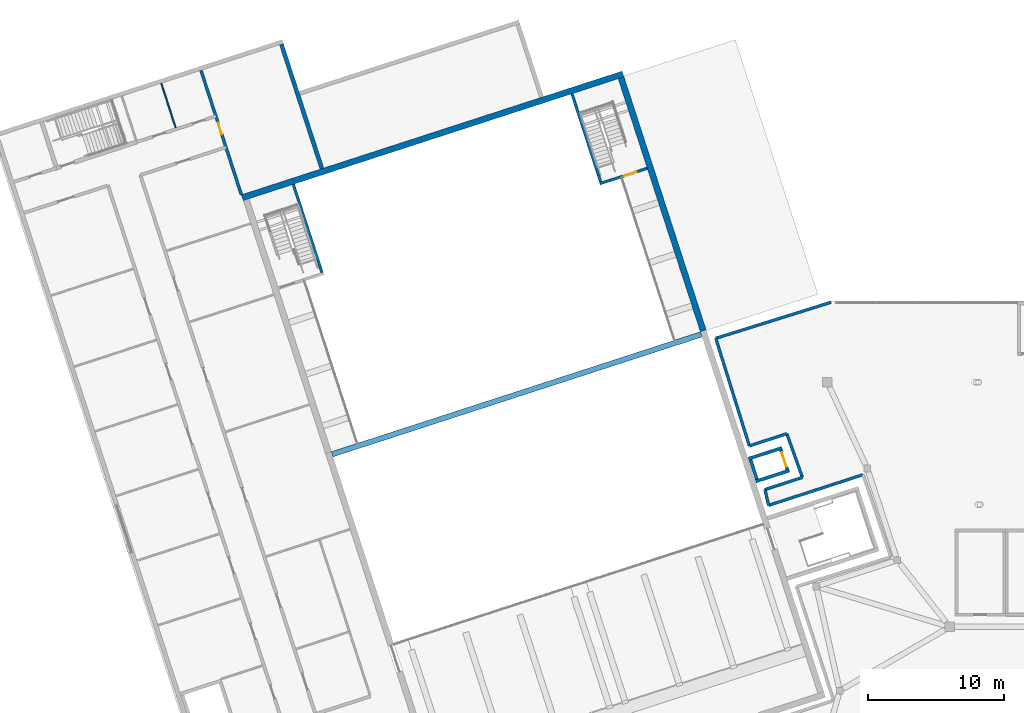
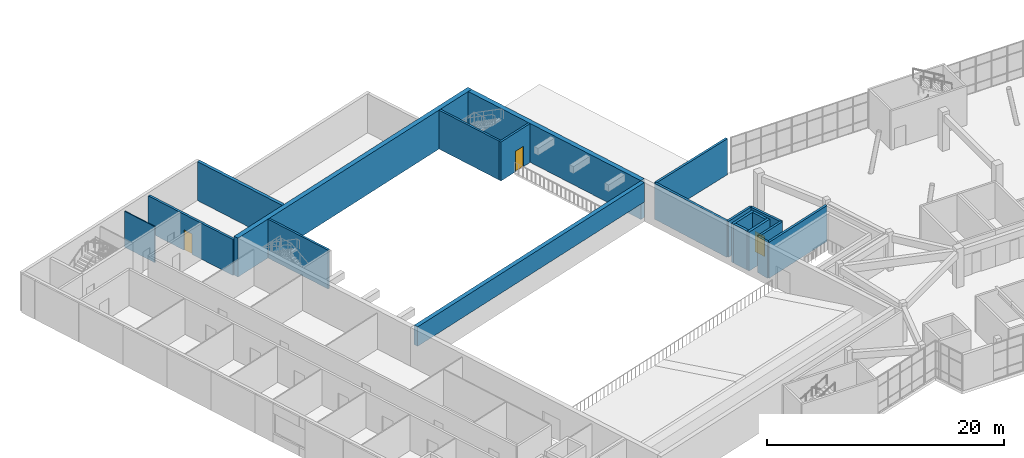
# One storey, part 55 of 65: 20 walls, 3 doors, 3 openings.
"""IFC4 building model written with IfcOpenShell, lengths in metres."""

from ifc_helpers import new_model, si_unit, direction, frame, frame_2d, origin, place, context, subcontext, project, spatial, rectangle, extrude, material, layer, layer_set, type_object, element, fill, save


model = new_model("IFC4")

# Units and contexts
model_context = context("Model", 3, precision=1e-05, world=origin(), true_north=direction((0.0, 1.0)))
body_context = subcontext(model_context, "Body", "Model", "MODEL_VIEW")
ifc_project = project(units=[si_unit("LENGTHUNIT", "METRE"), si_unit("AREAUNIT", "SQUARE_METRE"), si_unit("VOLUMEUNIT", "CUBIC_METRE"), si_unit("PLANEANGLEUNIT", "RADIAN"), si_unit("MASSUNIT", "GRAM", prefix="KILO")], contexts=[model_context])

# Site, building, storey
site_placement = place(None, origin())
site = spatial("IfcSite", under=ifc_project, at=site_placement, CompositionType="ELEMENT")
building_placement = place(site_placement, origin())
building = spatial("IfcBuilding", under=site, at=building_placement, Name="Tuart Plaza Theatre", CompositionType="ELEMENT")
storey_placement = place(building_placement, frame((0.0, 0.0, 9.5)))
storey = spatial("IfcBuildingStorey", under=building, at=storey_placement, Name="L02", CompositionType="ELEMENT", Elevation=9.5)

# Walls
ifc_material_1 = material(Name="Plasterboard on steel stud", Category="steel")
ifc_layer_1 = layer(ifc_material_1, 0.10009765625)
ifc_layer_set_1 = layer_set([ifc_layer_1], Name="PARTITION STD100")
wall_type_1 = type_object("IfcWallType", Name="PARTITION STD100", PredefinedType="PARTITIONING", material=ifc_layer_set_1)
wall_1_placement = place(storey_placement, frame((30.0478515625, 92.727294921875, 0.0), z_axis=(0.0, 0.0, 1.0), x_axis=(-0.309021877853, 0.951054929543, 0.0)))
element("IfcWall", 1, at=wall_1_placement, inside=storey, type_object=wall_type_1, Name="P268", PredefinedType="PARTITIONING", context=body_context, shape_type="SweptSolid", body=[
    extrude(rectangle(XDim=3.43994140625, YDim=0.10009765625, at=frame_2d((1.719970703125, 0.0))), origin(), (0.0, 0.0, 1.0), 3.699951171875),
])
ifc_material_2 = material(Name="Concrete N40 (40 MPa)", Category="concrete")
ifc_layer_2 = layer(ifc_material_2, 0.25)
ifc_layer_set_2 = layer_set([ifc_layer_2], Name="SHEAR WALL RC250 FRL 120/120/120")
wall_type_2 = type_object("IfcWallType", Name="SHEAR WALL RC250 FRL 120/120/120", PredefinedType="SHEAR", material=ifc_layer_set_2)
wall_2_placement = place(storey_placement, frame((72.727294921875, 66.70751953125, 0.0), z_axis=(0.0, 0.0, 1.0), x_axis=(0.951087187149, 0.308922583248, 0.0)))
element("IfcWall", 2, at=wall_2_placement, inside=storey, type_object=wall_type_2, Name="W236", PredefinedType="SHEAR", context=body_context, shape_type="SweptSolid", body=[
    extrude(rectangle(XDim=2.60009765625, YDim=0.25, at=frame_2d((1.300048828125, 0.0))), origin(), (0.0, 0.0, 1.0), 4.0),
])

# Wall, opening, door
wall_3_placement = place(storey_placement, frame((75.04248046875, 67.591064453125, 0.0), z_axis=(0.0, 0.0, 1.0), x_axis=(-0.308942527062, 0.951080708969, 0.0)))
wall_3 = element("IfcWall", 3, at=wall_3_placement, inside=storey, type_object=wall_type_2, Name="W237", PredefinedType="SHEAR", context=body_context, shape_type="SweptSolid", body=[
    extrude(rectangle(XDim=1.5, YDim=0.25, at=frame_2d((0.75, 0.0))), origin(), (0.0, 0.0, 1.0), 4.0),
])
opening_1_placement = place(wall_3_placement, frame((0.199951171875, 0.0, 0.0)))
opening_1 = element("IfcOpeningElement", 4, at=opening_1_placement, cuts=wall_3, Name="Opening L02-003", PredefinedType="OPENING", context=body_context, shape_type="SweptSolid", body=[
    extrude(rectangle(XDim=1.10009765625, YDim=2.10009765625, at=frame_2d((0.550048828125, 1.050048828125))), frame((0.0, 0.135009765625, 0.0), z_axis=(0.0, -1.0, 0.0), x_axis=(1.0, 0.0, 0.0)), (0.0, 0.0, 1.0), 0.27001953125),
])
ifc_material_3 = material(Name="Steel Grade 300", Category="steel")
door_type_1 = type_object("IfcDoorType", Name="LANDING DOOR 1100x2100 steel sliding FRL -/120/30", OperationType="SLIDING_TO_LEFT", PredefinedType="DOOR", material=ifc_material_3)
door_1_placement = place(opening_1_placement, origin())
door_1 = element("IfcDoor", 5, at=door_1_placement, inside=storey, type_object=door_type_1, Name="L02-003", OperationType="SLIDING_TO_LEFT", OverallHeight=2.10009765625, OverallWidth=1.10009765625, PredefinedType="DOOR", context=body_context, shape_type="SweptSolid", body=[
    extrude(rectangle(XDim=1.10009765625, YDim=2.10009765625, at=frame_2d((0.550048828125, 1.050048828125))), frame((0.0, 0.02490234375, 0.0), z_axis=(0.0, -1.0, 0.0), x_axis=(1.0, 0.0, 0.0)), (0.0, 0.0, 1.0), 0.050048828125),
])
fill(opening_1, door_1)

# Walls
wall_4_placement = place(storey_placement, frame((74.659423828125, 69.17529296875, 0.0), z_axis=(0.0, 0.0, 1.0), x_axis=(-0.951059595933, -0.309007516064, 0.0)))
element("IfcWall", 6, at=wall_4_placement, inside=storey, type_object=wall_type_2, Name="W238", PredefinedType="SHEAR", context=body_context, shape_type="SweptSolid", body=[
    extrude(rectangle(XDim=2.60009765625, YDim=0.25, at=frame_2d((1.300048828125, 0.0))), origin(), (0.0, 0.0, 1.0), 4.0),
])
wall_5_placement = place(storey_placement, frame((72.343994140625, 68.29150390625, 0.0), z_axis=(0.0, 0.0, 1.0), x_axis=(0.309089752708, -0.951032872603, 0.0)))
element("IfcWall", 7, at=wall_5_placement, inside=storey, type_object=wall_type_2, Name="W239", PredefinedType="SHEAR", context=body_context, shape_type="SweptSolid", body=[
    extrude(rectangle(XDim=1.5, YDim=0.25, at=frame_2d((0.75, 0.0))), origin(), (0.0, 0.0, 1.0), 4.0),
])
ifc_material_4 = material(Name="Concrete N50 (50 MPa)", Category="concrete")
ifc_layer_3 = layer(ifc_material_4, 0.39990234375)
ifc_layer_set_3 = layer_set([ifc_layer_3], Name="SHEAR WALL RC400 N50 FRL 120/120/120")
wall_type_3 = type_object("IfcWallType", Name="SHEAR WALL RC400 N50 FRL 120/120/120", PredefinedType="SHEAR", material=ifc_layer_set_3)
wall_6_placement = place(storey_placement, frame((41.5615234375, 68.69921875, 2.0), z_axis=(0.0, 0.0, 1.0), x_axis=(0.951058008754, 0.309012401021, 0.0)))
element("IfcWall", 8, at=wall_6_placement, inside=storey, type_object=wall_type_3, Name="W54", PredefinedType="SHEAR", context=body_context, shape_type="SweptSolid", body=[
    extrude(rectangle(XDim=28.5498046875, YDim=0.39990234375, at=frame_2d((14.27490234375, 0.0))), origin(), (0.0, 0.0, 1.0), 2.0),
])
ifc_material_5 = material(Name="Concrete N50 (50 MPa)", Category="concrete")
ifc_layer_4 = layer(ifc_material_5, 0.449951171875)
ifc_layer_set_4 = layer_set([ifc_layer_4], Name="SHEAR WALL RC450 N50 FRL 120/120/120")
wall_type_4 = type_object("IfcWallType", Name="SHEAR WALL RC450 N50 FRL 120/120/120", PredefinedType="SHEAR", material=ifc_layer_set_4)
wall_7_placement = place(storey_placement, frame((68.866455078125, 77.78125, 0.0), z_axis=(0.0, 0.0, 1.0), x_axis=(-0.309019798438, 0.951055605195, 0.0)))
element("IfcWall", 9, at=wall_7_placement, inside=storey, type_object=wall_type_4, Name="W48", PredefinedType="SHEAR", context=body_context, shape_type="SweptSolid", body=[
    extrude(rectangle(XDim=19.574951171875, YDim=0.449951171875, at=frame_2d((9.78759765625, 0.0))), origin(), (0.0, 0.0, 1.0), 4.0),
])
wall_8_placement = place(storey_placement, frame((34.953125, 87.581298828125, 0.0), z_axis=(0.0, 0.0, 1.0), x_axis=(0.951059165148, 0.309008841924, 0.0)))
element("IfcWall", 10, at=wall_8_placement, inside=storey, type_object=wall_type_4, Name="W49", PredefinedType="SHEAR", context=body_context, shape_type="SweptSolid", body=[
    extrude(rectangle(XDim=29.4501953125, YDim=0.449951171875, at=frame_2d((14.72509765625, 0.0))), origin(), (0.0, 0.0, 1.0), 4.0),
])
ifc_material_6 = material(Name="Concrete N40 (40 MPa)", Category="concrete")
ifc_layer_5 = layer(ifc_material_6, 0.199951171875)
ifc_layer_set_5 = layer_set([ifc_layer_5], Name="WALL RC200 LB FRL 120/120/120")
wall_type_5 = type_object("IfcWallType", Name="WALL RC200 LB FRL 120/120/120", PredefinedType="SOLIDWALL", material=ifc_layer_set_5)
wall_9_placement = place(storey_placement, frame((40.817138671875, 82.07373046875, 0.0), z_axis=(0.0, 0.0, 1.0), x_axis=(-0.309028643499, 0.951052731186, 0.0)))
element("IfcWall", 11, at=wall_9_placement, inside=storey, type_object=wall_type_5, Name="W139", PredefinedType="SOLIDWALL", context=body_context, shape_type="SweptSolid", body=[
    extrude(rectangle(XDim=6.824951171875, YDim=0.199951171875, at=frame_2d((3.41259765625, 0.0))), origin(), (0.0, 0.0, 1.0), 4.0),
])

# Wall, opening, door
wall_10_placement = place(storey_placement, frame((64.743408203125, 89.74267578125, 0.0), z_axis=(0.0, 0.0, 1.0), x_axis=(-0.95104773735, -0.309044011885, 0.0)))
wall_10 = element("IfcWall", 12, at=wall_10_placement, inside=storey, type_object=wall_type_5, Name="W152", PredefinedType="SOLIDWALL", context=body_context, shape_type="SweptSolid", body=[
    extrude(rectangle(XDim=3.675048828125, YDim=0.199951171875, at=frame_2d((1.83740234375, 0.0))), origin(), (0.0, 0.0, 1.0), 4.0),
])
opening_2_placement = place(wall_10_placement, frame((0.824951171875, 0.0, 0.0)))
opening_2 = element("IfcOpeningElement", 13, at=opening_2_placement, cuts=wall_10, Name="Opening L02-029", PredefinedType="OPENING", context=body_context, shape_type="SweptSolid", body=[
    extrude(rectangle(XDim=1.0, YDim=2.10009765625, at=frame_2d((0.5, 1.050048828125))), frame((0.0, 0.10986328125, 0.0), z_axis=(0.0, -1.0, 0.0), x_axis=(1.0, 0.0, 0.0)), (0.0, 0.0, 1.0), 0.219970703125),
])
ifc_material_7 = material(Name="Timber", Category="wood")
door_type_2 = type_object("IfcDoorType", Name="DOOR 1000x2100 timber single swing FRL -/120/30", OperationType="SINGLE_SWING_LEFT", PredefinedType="DOOR", material=ifc_material_7)
door_2_placement = place(opening_2_placement, frame((1.0, 0.0, 0.0), z_axis=(0.0, 0.0, 1.0), x_axis=(-1.0, 0.0, 0.0)))
door_2 = element("IfcDoor", 14, at=door_2_placement, inside=storey, type_object=door_type_2, Name="L02-029", OperationType="SINGLE_SWING_LEFT", OverallHeight=2.10009765625, OverallWidth=1.0, PredefinedType="DOOR", context=body_context, shape_type="SweptSolid", body=[
    extrude(rectangle(XDim=1.0, YDim=2.10009765625, at=frame_2d((0.5, 1.050048828125))), frame((0.0, 0.02490234375, 0.0), z_axis=(0.0, -1.0, 0.0), x_axis=(1.0, 0.0, 0.0)), (0.0, 0.0, 1.0), 0.050048828125),
])
fill(opening_2, door_2)

# Walls
wall_11_placement = place(storey_placement, frame((61.3125, 88.73291015625, 0.0), z_axis=(0.0, 0.0, 1.0), x_axis=(-0.309028643499, 0.951052731186, 0.0)))
element("IfcWall", 15, at=wall_11_placement, inside=storey, type_object=wall_type_5, Name="W153", PredefinedType="SOLIDWALL", context=body_context, shape_type="SweptSolid", body=[
    extrude(rectangle(XDim=6.824951171875, YDim=0.199951171875, at=frame_2d((3.41259765625, 0.0))), origin(), (0.0, 0.0, 1.0), 4.0),
])
ifc_material_8 = material(Name="Concrete N40 (40 MPa)", Category="concrete")
ifc_layer_6 = layer(ifc_material_8, 0.219970703125)
ifc_layer_set_6 = layer_set([ifc_layer_6], Name="WALL RC220 FRL 120/120/120")
wall_type_6 = type_object("IfcWallType", Name="WALL RC220 FRL 120/120/120", PredefinedType="SOLIDWALL", material=ifc_layer_set_6)
wall_12_placement = place(storey_placement, frame((80.61328125, 67.193115234375, 0.0), z_axis=(0.0, 0.0, 1.0), x_axis=(-0.951057168147, -0.309014988174, 0.0)))
element("IfcWall", 16, at=wall_12_placement, inside=storey, type_object=wall_type_6, Name="P43", PredefinedType="SOLIDWALL", context=body_context, shape_type="SweptSolid", body=[
    extrude(rectangle(XDim=7.300048828125, YDim=0.219970703125, at=frame_2d((3.64990234375, 0.0))), origin(), (0.0, 0.0, 1.0), 3.699951171875),
])
wall_13_placement = place(storey_placement, frame((73.67041015625, 64.937255859375, 0.0), z_axis=(0.0, 0.0, 1.0), x_axis=(-0.228915017266, 0.973446410888, 0.0)))
element("IfcWall", 17, at=wall_13_placement, inside=storey, type_object=wall_type_6, Name="P44", PredefinedType="SOLIDWALL", context=body_context, shape_type="SweptSolid", body=[
    extrude(rectangle(XDim=1.2041015625, YDim=0.219970703125, at=frame_2d((0.60205078125, 0.0))), origin(), (0.0, 0.0, 1.0), 3.699951171875),
])
wall_14_placement = place(storey_placement, frame((73.394775390625, 66.109375, 0.0), z_axis=(0.0, 0.0, 1.0), x_axis=(0.951047059821, 0.309046096893, 0.0)))
element("IfcWall", 18, at=wall_14_placement, inside=storey, type_object=wall_type_6, Name="P45", PredefinedType="SOLIDWALL", context=body_context, shape_type="SweptSolid", body=[
    extrude(rectangle(XDim=2.89990234375, YDim=0.219970703125, at=frame_2d((1.449951171875, 0.0))), origin(), (0.0, 0.0, 1.0), 3.699951171875),
])
wall_15_placement = place(storey_placement, frame((76.15283203125, 67.005615234375, 0.0), z_axis=(0.0, 0.0, 1.0), x_axis=(-0.336845601427, 0.941559897616, 0.0)))
element("IfcWall", 19, at=wall_15_placement, inside=storey, type_object=wall_type_6, Name="P46", PredefinedType="SOLIDWALL", context=body_context, shape_type="SweptSolid", body=[
    extrude(rectangle(XDim=3.4013671875, YDim=0.219970703125, at=frame_2d((1.70068359375, 0.0))), origin(), (0.0, 0.0, 1.0), 3.699951171875),
])
wall_16_placement = place(storey_placement, frame((75.007080078125, 70.208251953125, 0.0), z_axis=(0.0, 0.0, 1.0), x_axis=(-0.951047059821, -0.309046096893, 0.0)))
element("IfcWall", 20, at=wall_16_placement, inside=storey, type_object=wall_type_6, Name="P47", PredefinedType="SOLIDWALL", context=body_context, shape_type="SweptSolid", body=[
    extrude(rectangle(XDim=2.89990234375, YDim=0.219970703125, at=frame_2d((1.449951171875, 0.0))), origin(), (0.0, 0.0, 1.0), 3.699951171875),
])
wall_17_placement = place(storey_placement, frame((72.2490234375, 69.31201171875, 0.0), z_axis=(0.0, 0.0, 1.0), x_axis=(-0.297531334915, 0.954712053314, 0.0)))
element("IfcWall", 21, at=wall_17_placement, inside=storey, type_object=wall_type_6, Name="P48", PredefinedType="SOLIDWALL", context=body_context, shape_type="SweptSolid", body=[
    extrude(rectangle(XDim=8.30078125, YDim=0.219970703125, at=frame_2d((4.150390625, 0.0))), origin(), (0.0, 0.0, 1.0), 3.699951171875),
])
wall_18_placement = place(storey_placement, frame((69.779296875, 77.23681640625, 0.0), z_axis=(0.0, 0.0, 1.0), x_axis=(0.954435963037, 0.298415804646, 0.0)))
element("IfcWall", 22, at=wall_18_placement, inside=storey, type_object=wall_type_6, Name="P49", PredefinedType="SOLIDWALL", context=body_context, shape_type="SweptSolid", body=[
    extrude(rectangle(XDim=8.884765625, YDim=0.219970703125, at=frame_2d((4.4423828125, 0.0))), origin(), (0.0, 0.0, 1.0), 3.699951171875),
])

# Wall, opening, door
ifc_material_9 = material(Name="Concrete N40 (40 MPa)", Category="concrete")
ifc_layer_7 = layer(ifc_material_9, 0.219970703125)
ifc_layer_set_7 = layer_set([ifc_layer_7], Name="WALL RC220 LB FRL 120/120/120")
wall_type_7 = type_object("IfcWallType", Name="WALL RC220 LB FRL 120/120/120", PredefinedType="SOLIDWALL", material=ifc_layer_set_7)
wall_19_placement = place(storey_placement, frame((34.8837890625, 87.795166015625, 0.0), z_axis=(0.0, 0.0, 1.0), x_axis=(-0.309027569133, 0.951053080283, 0.0)))
wall_19 = element("IfcWall", 23, at=wall_19_placement, inside=storey, type_object=wall_type_7, Name="W529", PredefinedType="SOLIDWALL", context=body_context, shape_type="SweptSolid", body=[
    extrude(rectangle(XDim=9.625, YDim=0.219970703125, at=frame_2d((4.8125, 0.0))), origin(), (0.0, 0.0, 1.0), 3.699951171875),
])
opening_3_placement = place(wall_19_placement, frame((4.6650390625, 0.0, 0.0)))
opening_3 = element("IfcOpeningElement", 24, at=opening_3_placement, cuts=wall_19, Name="Opening L02-010", PredefinedType="OPENING", context=body_context, shape_type="SweptSolid", body=[
    extrude(rectangle(XDim=0.89990234375, YDim=2.10009765625, at=frame_2d((0.449951171875, 1.050048828125))), frame((0.0, 0.119873046875, 0.0), z_axis=(0.0, -1.0, 0.0), x_axis=(1.0, 0.0, 0.0)), (0.0, 0.0, 1.0), 0.239990234375),
])
ifc_material_10 = material(Name="Timber", Category="wood")
door_type_3 = type_object("IfcDoorType", Name="DOOR 900x2100 timber single swing FRL -/120/30", OperationType="SINGLE_SWING_LEFT", PredefinedType="DOOR", material=ifc_material_10)
door_3_placement = place(opening_3_placement, frame((0.89990234375, 0.0, 0.0), z_axis=(0.0, 0.0, 1.0), x_axis=(-1.0, 0.0, 0.0)))
door_3 = element("IfcDoor", 25, at=door_3_placement, inside=storey, type_object=door_type_3, Name="L02-010", OperationType="SINGLE_SWING_LEFT", OverallHeight=2.10009765625, OverallWidth=0.89990234375, PredefinedType="DOOR", context=body_context, shape_type="SweptSolid", body=[
    extrude(rectangle(XDim=0.89990234375, YDim=2.10009765625, at=frame_2d((0.449951171875, 1.050048828125))), frame((0.0, 0.02490234375, 0.0), z_axis=(0.0, -1.0, 0.0), x_axis=(1.0, 0.0, 0.0)), (0.0, 0.0, 1.0), 0.050048828125),
])
fill(opening_3, door_3)

# Wall
ifc_material_11 = material(Name="Concrete N40 (40 MPa)", Category="concrete")
ifc_layer_8 = layer(ifc_material_11, 0.300048828125)
ifc_layer_set_8 = layer_set([ifc_layer_8], Name="WALL RC300 LB FRL 120/120/120")
wall_type_8 = type_object("IfcWallType", Name="WALL RC300 LB FRL 120/120/120", PredefinedType="SOLIDWALL", material=ifc_layer_set_8)
wall_20_placement = place(storey_placement, frame((37.82958984375, 98.872802734375, 0.0), z_axis=(0.0, 0.0, 1.0), x_axis=(0.30902011435, -0.951055502548, 0.0)))
element("IfcWall", 26, at=wall_20_placement, inside=storey, type_object=wall_type_8, Name="W74", PredefinedType="SOLIDWALL", context=body_context, shape_type="SweptSolid", body=[
    extrude(rectangle(XDim=9.625244140625, YDim=0.300048828125, at=frame_2d((4.8125, 0.0))), origin(), (0.0, 0.0, 1.0), 4.0),
])

save(model, "model.ifc")
